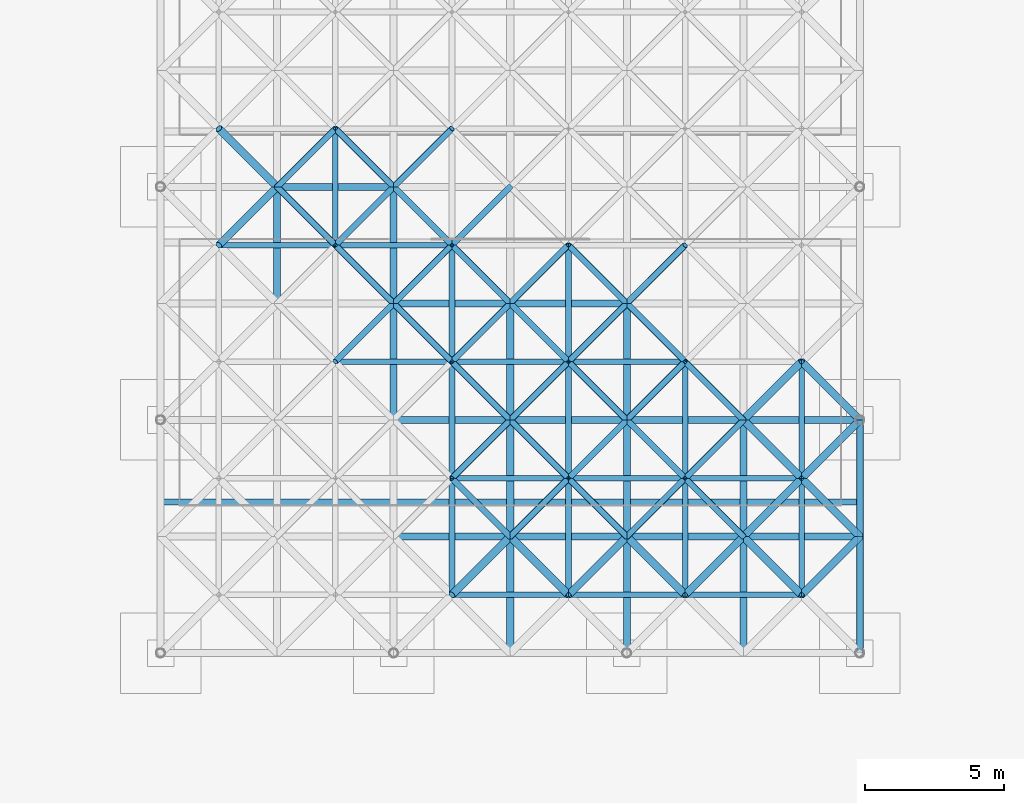
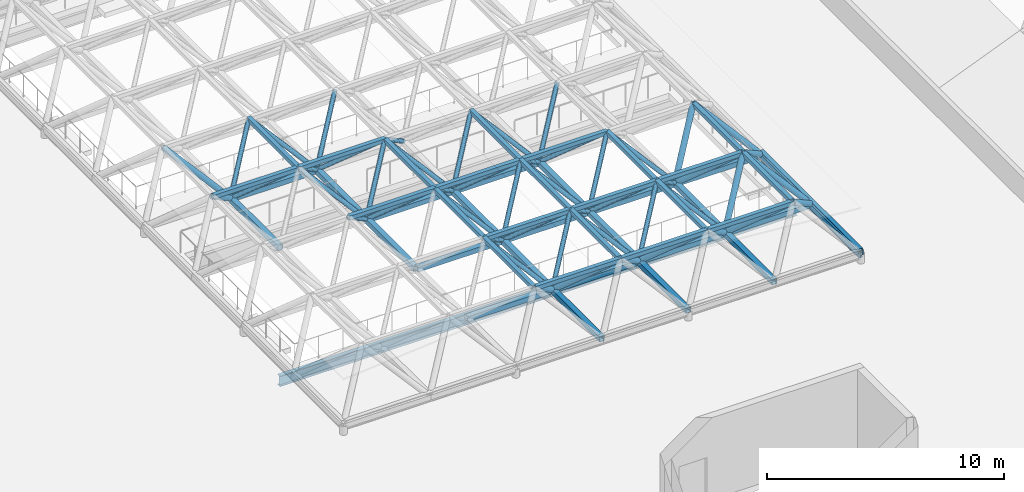
# One storey, part 16 of 85: 95 members, 2 beams.
"""IFC4 building model written with IfcOpenShell, lengths in metres."""

from ifc_helpers import new_model, si_unit, direction, frame, origin, origin_2d, place, context, subcontext, project, spatial, hollow_rectangle, hollow_circle, i_section, extrude, material, material_profile, profile_set, type_object, element, save


model = new_model("IFC4")

# Units and contexts
model_context = context("Model", 3, precision=1e-05, world=origin(), true_north=direction((0.0, 1.0)))
body_context = subcontext(model_context, "Body", "Model", "MODEL_VIEW")
ifc_project = project(units=[si_unit("LENGTHUNIT", "METRE"), si_unit("AREAUNIT", "SQUARE_METRE"), si_unit("VOLUMEUNIT", "CUBIC_METRE"), si_unit("PLANEANGLEUNIT", "RADIAN"), si_unit("MASSUNIT", "GRAM", prefix="KILO")], contexts=[model_context])

# Site, building, storey
site_placement = place(None, origin())
site = spatial("IfcSite", under=ifc_project, at=site_placement, CompositionType="ELEMENT")
building_placement = place(site_placement, origin())
building = spatial("IfcBuilding", under=site, at=building_placement, Name="Almacenes y Pasaje Nevantli", CompositionType="ELEMENT")
storey_placement = place(building_placement, frame((0.0, 0.0, 22.199951171875)))
storey = spatial("IfcBuildingStorey", under=building, at=storey_placement, Name="L05", CompositionType="ELEMENT", Elevation=22.199951171875)

# Beams
ifc_material_1 = material(Name="Steel ASTM A992", Category="steel")
ifc_material_profile_1 = material_profile(ifc_material_1, i_section(OverallWidth=0.193115234375, OverallDepth=0.4599609375, WebThickness=0.011474609375, FlangeThickness=0.01904296875, at=origin_2d()), Name="IR 457x96.7")
ifc_profile_set_1 = profile_set([ifc_material_profile_1], Name="Steel ASTM A992")
beam_type_1 = type_object("IfcBeamType", Name="BM-STL-IR-457x96p7", PredefinedType="BEAM", material=ifc_profile_set_1)
beam_1_placement = place(storey_placement, frame((58.800048828125, 42.0, 0.449951171875), z_axis=(0.0, 1.0, 0.0), x_axis=(-1.0, 0.0, 0.0)))
element("IfcBeam", 1, at=beam_1_placement, inside=storey, type_object=beam_type_1, Name="Atrium Skylight Perimeter Steel Eave Girder #5", PredefinedType="BEAM", context=body_context, shape_type="SweptSolid", body=[
    extrude(i_section(OverallWidth=0.193115234375, OverallDepth=0.4599609375, WebThickness=0.011474609375, FlangeThickness=0.01904296875, at=origin_2d()), origin(), (0.0, 0.0, 1.0), 8.39990234375),
])
ifc_material_2 = material(Name="Steel ASTM A992", Category="steel")
ifc_material_profile_2 = material_profile(ifc_material_2, i_section(OverallWidth=0.2119140625, OverallDepth=0.5439453125, WebThickness=0.01318359375, FlangeThickness=0.021240234375, at=origin_2d()), Name="IR 533x123.5")
ifc_profile_set_2 = profile_set([ifc_material_profile_2], Name="Steel ASTM A992")
beam_type_2 = type_object("IfcBeamType", Name="BM-STL-IR-533x123p5", PredefinedType="BEAM", material=ifc_profile_set_2)
beam_2_placement = place(storey_placement, frame((33.60009765625, 47.449951171875, -0.579833984375), z_axis=(1.0, 0.0, 0.0), x_axis=(0.0, 1.0, 0.0)))
element("IfcBeam", 2, at=beam_2_placement, inside=storey, type_object=beam_type_2, Name="L05 Atrium Escalator Bridge and Trimmer Girder #1", PredefinedType="BEAM", context=body_context, shape_type="SweptSolid", body=[
    extrude(i_section(OverallWidth=0.2119140625, OverallDepth=0.5439453125, WebThickness=0.01318359375, FlangeThickness=0.021240234375, at=origin_2d()), origin(), (0.0, 0.0, 1.0), 25.199951171875),
])

# Members
ifc_material_3 = material(Name="Steel ASTM A500 Grade C", Category="steel")
ifc_material_profile_3 = material_profile(ifc_material_3, hollow_circle(Radius=0.109619140625, WallThickness=0.00830078125, at=origin_2d()), Name="OC 219x8.2")
ifc_profile_set_3 = profile_set([ifc_material_profile_3], Name="Steel ASTM A500 Grade C")
member_type_1 = type_object("IfcMemberType", Name="MBR-BRC-OC219", PredefinedType="BRACE", material=ifc_profile_set_3)
for number, where, z_axis, x_axis, name in (
    (3, (42.0, 54.60009765625, 0.449951171875), (-0.57735026919, -0.57735026919, 0.57735026919), (0.707106781187, -0.707106781187, 0.0), "Atrium Skylight Space Frame Diagonal Web #172"),
    (4, (42.0, 54.60009765625, 0.449951171875), (-0.577372641904, 0.57730552116, 0.577372641904), (-0.707065676302, -0.707147883682, 0.0), "Atrium Skylight Space Frame Diagonal Web #177"),
    (5, (42.0, 58.800048828125, 0.449951171875), (-0.57735026919, -0.57735026919, 0.57735026919), (0.707106781187, -0.707106781187, 0.0), "Atrium Skylight Space Frame Diagonal Web #178"),
    (6, (37.800048828125, 58.800048828125, 0.449951171875), (0.57730552116, -0.577372641904, 0.577372641904), (0.707147883682, 0.707065676302, 0.0), "Atrium Skylight Space Frame Diagonal Web #179"),
):
    element("IfcMember", number, at=place(storey_placement, frame(where, z_axis=z_axis, x_axis=x_axis)), inside=storey, type_object=member_type_1, Name=name, PredefinedType="BRACE", context=body_context, shape_type="SweptSolid", body=[
        extrude(hollow_circle(Radius=0.109619140625, WallThickness=0.00830078125, at=origin_2d()), origin(), (0.0, 0.0, 1.0), 3.637451171875),
    ])
member_1_placement = place(storey_placement, frame((37.800048828125, 58.800048828125, 0.449951171875), z_axis=(0.577327893874, 0.577327893874, 0.577395017219), x_axis=(-0.707106781187, 0.707106781187, 0.0)))
element("IfcMember", 7, at=member_1_placement, inside=storey, type_object=member_type_1, Name="Atrium Skylight Space Frame Diagonal Web #182", PredefinedType="BRACE", context=body_context, shape_type="SweptSolid", body=[
    extrude(hollow_circle(Radius=0.109619140625, WallThickness=0.00830078125, at=origin_2d()), origin(), (0.0, 0.0, 1.0), 3.63720703125),
])
for number, where, z_axis, x_axis, name in (
    (8, (42.0, 58.800048828125, 0.449951171875), (-0.577372641904, 0.57730552116, 0.577372641904), (-0.707065676302, -0.707147883682, 0.0), "Atrium Skylight Space Frame Diagonal Web #183"),
    (9, (46.199951171875, 46.199951171875, 0.449951171875), (-0.57730552116, 0.577372641904, 0.577372641904), (-0.707147883682, -0.707065676302, 0.0), "Atrium Skylight Space Frame Diagonal Web #212"),
):
    element("IfcMember", number, at=place(storey_placement, frame(where, z_axis=z_axis, x_axis=x_axis)), inside=storey, type_object=member_type_1, Name=name, PredefinedType="BRACE", context=body_context, shape_type="SweptSolid", body=[
        extrude(hollow_circle(Radius=0.109619140625, WallThickness=0.00830078125, at=origin_2d()), origin(), (0.0, 0.0, 1.0), 3.637451171875),
    ])
member_2_placement = place(storey_placement, frame((46.199951171875, 50.39990234375, 0.449951171875), z_axis=(-0.577327893874, -0.577327893874, 0.577395017219), x_axis=(0.707106781187, -0.707106781187, 0.0)))
element("IfcMember", 10, at=member_2_placement, inside=storey, type_object=member_type_1, Name="Atrium Skylight Space Frame Diagonal Web #213", PredefinedType="BRACE", context=body_context, shape_type="SweptSolid", body=[
    extrude(hollow_circle(Radius=0.109619140625, WallThickness=0.00830078125, at=origin_2d()), origin(), (0.0, 0.0, 1.0), 3.63720703125),
])
for number, where, z_axis, x_axis, name in (
    (11, (46.199951171875, 50.39990234375, 0.449951171875), (-0.57730552116, 0.577372641904, 0.577372641904), (-0.707147883682, -0.707065676302, 0.0), "Atrium Skylight Space Frame Diagonal Web #218"),
    (12, (46.199951171875, 54.60009765625, 0.449951171875), (-0.57730552116, -0.577372641904, 0.577372641904), (0.707147883682, -0.707065676302, 0.0), "Atrium Skylight Space Frame Diagonal Web #219"),
    (13, (42.0, 54.60009765625, 0.449951171875), (0.57735026919, -0.57735026919, 0.57735026919), (0.707106781187, 0.707106781187, 0.0), "Atrium Skylight Space Frame Diagonal Web #220"),
    (14, (42.0, 54.60009765625, 0.449951171875), (0.577372641904, 0.57730552116, 0.577372641904), (-0.707065676302, 0.707147883682, 0.0), "Atrium Skylight Space Frame Diagonal Web #223"),
):
    element("IfcMember", number, at=place(storey_placement, frame(where, z_axis=z_axis, x_axis=x_axis)), inside=storey, type_object=member_type_1, Name=name, PredefinedType="BRACE", context=body_context, shape_type="SweptSolid", body=[
        extrude(hollow_circle(Radius=0.109619140625, WallThickness=0.00830078125, at=origin_2d()), origin(), (0.0, 0.0, 1.0), 3.637451171875),
    ])
member_3_placement = place(storey_placement, frame((46.199951171875, 54.60009765625, 0.449951171875), z_axis=(-0.577327893874, 0.577327893874, 0.577395017219), x_axis=(-0.707106781187, -0.707106781187, 0.0)))
element("IfcMember", 15, at=member_3_placement, inside=storey, type_object=member_type_1, Name="Atrium Skylight Space Frame Diagonal Web #224", PredefinedType="BRACE", context=body_context, shape_type="SweptSolid", body=[
    extrude(hollow_circle(Radius=0.109619140625, WallThickness=0.00830078125, at=origin_2d()), origin(), (0.0, 0.0, 1.0), 3.63720703125),
])
for number, where, z_axis, x_axis, name in (
    (16, (46.199951171875, 58.800048828125, 0.449951171875), (-0.57730552116, -0.577372641904, 0.577372641904), (0.707147883682, -0.707065676302, 0.0), "Atrium Skylight Space Frame Diagonal Web #225"),
    (17, (42.0, 58.800048828125, 0.449951171875), (0.57735026919, -0.57735026919, 0.57735026919), (0.707106781187, 0.707106781187, 0.0), "Atrium Skylight Space Frame Diagonal Web #226"),
    (18, (42.0, 58.800048828125, 0.449951171875), (0.577372641904, 0.57730552116, 0.577372641904), (-0.707065676302, 0.707147883682, 0.0), "Atrium Skylight Space Frame Diagonal Web #229"),
    (19, (46.199951171875, 46.199951171875, 0.449951171875), (0.57735026919, 0.57735026919, 0.57735026919), (-0.707106781187, 0.707106781187, 0.0), "Atrium Skylight Space Frame Diagonal Web #258"),
    (20, (50.39990234375, 46.199951171875, 0.449951171875), (-0.57730552116, 0.577372641904, 0.577372641904), (-0.707147883682, -0.707065676302, 0.0), "Atrium Skylight Space Frame Diagonal Web #259"),
):
    element("IfcMember", number, at=place(storey_placement, frame(where, z_axis=z_axis, x_axis=x_axis)), inside=storey, type_object=member_type_1, Name=name, PredefinedType="BRACE", context=body_context, shape_type="SweptSolid", body=[
        extrude(hollow_circle(Radius=0.109619140625, WallThickness=0.00830078125, at=origin_2d()), origin(), (0.0, 0.0, 1.0), 3.637451171875),
    ])
member_4_placement = place(storey_placement, frame((50.39990234375, 50.39990234375, 0.449951171875), z_axis=(-0.577327893874, -0.577327893874, 0.577395017219), x_axis=(0.707106781187, -0.707106781187, 0.0)))
element("IfcMember", 21, at=member_4_placement, inside=storey, type_object=member_type_1, Name="Atrium Skylight Space Frame Diagonal Web #260", PredefinedType="BRACE", context=body_context, shape_type="SweptSolid", body=[
    extrude(hollow_circle(Radius=0.109619140625, WallThickness=0.00830078125, at=origin_2d()), origin(), (0.0, 0.0, 1.0), 3.63720703125),
])
for number, where, z_axis, x_axis, name in (
    (22, (46.199951171875, 50.39990234375, 0.449951171875), (0.577372641904, -0.57730552116, 0.577372641904), (0.707065676302, 0.707147883682, 0.0), "Atrium Skylight Space Frame Diagonal Web #261"),
    (23, (46.199951171875, 50.39990234375, 0.449951171875), (0.57735026919, 0.57735026919, 0.57735026919), (-0.707106781187, 0.707106781187, 0.0), "Atrium Skylight Space Frame Diagonal Web #264"),
    (24, (50.39990234375, 50.39990234375, 0.449951171875), (-0.57730552116, 0.577372641904, 0.577372641904), (-0.707147883682, -0.707065676302, 0.0), "Atrium Skylight Space Frame Diagonal Web #265"),
    (25, (50.39990234375, 54.60009765625, 0.449951171875), (-0.57730552116, -0.577372641904, 0.577372641904), (0.707147883682, -0.707065676302, 0.0), "Atrium Skylight Space Frame Diagonal Web #266"),
    (26, (46.199951171875, 54.60009765625, 0.449951171875), (0.57735026919, -0.57735026919, 0.57735026919), (0.707106781187, 0.707106781187, 0.0), "Atrium Skylight Space Frame Diagonal Web #267"),
    (27, (46.199951171875, 54.60009765625, 0.449951171875), (0.577372641904, 0.57730552116, 0.577372641904), (-0.707065676302, 0.707147883682, 0.0), "Atrium Skylight Space Frame Diagonal Web #270"),
):
    element("IfcMember", number, at=place(storey_placement, frame(where, z_axis=z_axis, x_axis=x_axis)), inside=storey, type_object=member_type_1, Name=name, PredefinedType="BRACE", context=body_context, shape_type="SweptSolid", body=[
        extrude(hollow_circle(Radius=0.109619140625, WallThickness=0.00830078125, at=origin_2d()), origin(), (0.0, 0.0, 1.0), 3.637451171875),
    ])
member_5_placement = place(storey_placement, frame((50.39990234375, 54.60009765625, 0.449951171875), z_axis=(-0.577327893874, 0.577327893874, 0.577395017219), x_axis=(-0.707106781187, -0.707106781187, 0.0)))
element("IfcMember", 28, at=member_5_placement, inside=storey, type_object=member_type_1, Name="Atrium Skylight Space Frame Diagonal Web #271", PredefinedType="BRACE", context=body_context, shape_type="SweptSolid", body=[
    extrude(hollow_circle(Radius=0.109619140625, WallThickness=0.00830078125, at=origin_2d()), origin(), (0.0, 0.0, 1.0), 3.63720703125),
])
for number, where, z_axis, x_axis, name in (
    (29, (50.39990234375, 46.199951171875, 0.449951171875), (0.57735026919, 0.57735026919, 0.57735026919), (-0.707106781187, 0.707106781187, 0.0), "Atrium Skylight Space Frame Diagonal Web #305"),
    (30, (54.60009765625, 46.199951171875, 0.449951171875), (-0.57735026919, 0.57735026919, 0.57735026919), (-0.707106781187, -0.707106781187, 0.0), "Atrium Skylight Space Frame Diagonal Web #306"),
    (31, (54.60009765625, 50.39990234375, 0.449951171875), (-0.577372641904, -0.57730552116, 0.577372641904), (0.707065676302, -0.707147883682, 0.0), "Atrium Skylight Space Frame Diagonal Web #307"),
    (32, (50.39990234375, 50.39990234375, 0.449951171875), (0.577372641904, -0.57730552116, 0.577372641904), (0.707065676302, 0.707147883682, 0.0), "Atrium Skylight Space Frame Diagonal Web #308"),
    (33, (50.39990234375, 50.39990234375, 0.449951171875), (0.57735026919, 0.57735026919, 0.57735026919), (-0.707106781187, 0.707106781187, 0.0), "Atrium Skylight Space Frame Diagonal Web #311"),
    (34, (54.60009765625, 50.39990234375, 0.449951171875), (-0.57735026919, 0.57735026919, 0.57735026919), (-0.707106781187, -0.707106781187, 0.0), "Atrium Skylight Space Frame Diagonal Web #312"),
    (35, (50.39990234375, 54.60009765625, 0.449951171875), (0.57735026919, -0.57735026919, 0.57735026919), (0.707106781187, 0.707106781187, 0.0), "Atrium Skylight Space Frame Diagonal Web #314"),
    (36, (50.39990234375, 54.60009765625, 0.449951171875), (0.577372641904, 0.57730552116, 0.577372641904), (-0.707065676302, 0.707147883682, 0.0), "Atrium Skylight Space Frame Diagonal Web #317"),
):
    element("IfcMember", number, at=place(storey_placement, frame(where, z_axis=z_axis, x_axis=x_axis)), inside=storey, type_object=member_type_1, Name=name, PredefinedType="BRACE", context=body_context, shape_type="SweptSolid", body=[
        extrude(hollow_circle(Radius=0.109619140625, WallThickness=0.00830078125, at=origin_2d()), origin(), (0.0, 0.0, 1.0), 3.637451171875),
    ])
ifc_material_4 = material(Name="Steel ASTM A500 Grade C", Category="steel")
ifc_material_profile_4 = material_profile(ifc_material_4, hollow_circle(Radius=0.136474609375, WallThickness=0.00927734375, at=origin_2d()), Name="OC 273x9.3")
ifc_profile_set_4 = profile_set([ifc_material_profile_4], Name="Steel ASTM A500 Grade C")
member_type_2 = type_object("IfcMemberType", Name="MBR-BRC-OC273", PredefinedType="BRACE", material=ifc_profile_set_4)
for number, where, z_axis, x_axis, name in (
    (37, (37.800048828125, 58.800048828125, 0.449951171875), (-0.57735026919, -0.57735026919, 0.57735026919), (0.707106781187, -0.707106781187, 0.0), "Atrium Skylight Space Frame Diagonal Web #131"),
    (38, (37.800048828125, 58.800048828125, 0.449951171875), (-0.577372641904, 0.57730552116, 0.577372641904), (-0.707065676302, -0.707147883682, 0.0), "Atrium Skylight Space Frame Diagonal Web #136"),
):
    element("IfcMember", number, at=place(storey_placement, frame(where, z_axis=z_axis, x_axis=x_axis)), inside=storey, type_object=member_type_2, Name=name, PredefinedType="BRACE", context=body_context, shape_type="SweptSolid", body=[
        extrude(hollow_circle(Radius=0.136474609375, WallThickness=0.00927734375, at=origin_2d()), origin(), (0.0, 0.0, 1.0), 3.637451171875),
    ])
for number, where, z_axis, x_axis, name in (
    (39, (46.199951171875, 46.199951171875, 0.449951171875), (-0.577327893874, -0.577327893874, 0.577395017219), (0.707106781187, -0.707106781187, 0.0), "Atrium Skylight Space Frame Diagonal Web #207"),
    (40, (50.39990234375, 46.199951171875, 0.449951171875), (-0.577327893874, -0.577327893874, 0.577395017219), (0.707106781187, -0.707106781187, 0.0), "Atrium Skylight Space Frame Diagonal Web #254"),
):
    element("IfcMember", number, at=place(storey_placement, frame(where, z_axis=z_axis, x_axis=x_axis)), inside=storey, type_object=member_type_2, Name=name, PredefinedType="BRACE", context=body_context, shape_type="SweptSolid", body=[
        extrude(hollow_circle(Radius=0.136474609375, WallThickness=0.00927734375, at=origin_2d()), origin(), (0.0, 0.0, 1.0), 3.63720703125),
    ])
for number, where, z_axis, x_axis, name in (
    (41, (46.199951171875, 46.199951171875, 0.449951171875), (0.577372641904, -0.57730552116, 0.577372641904), (0.707065676302, 0.707147883682, 0.0), "Atrium Skylight Space Frame Diagonal Web #255"),
    (42, (54.60009765625, 46.199951171875, 0.449951171875), (-0.577372641904, -0.57730552116, 0.577372641904), (0.707065676302, -0.707147883682, 0.0), "Atrium Skylight Space Frame Diagonal Web #301"),
    (43, (50.39990234375, 46.199951171875, 0.449951171875), (0.577372641904, -0.57730552116, 0.577372641904), (0.707065676302, 0.707147883682, 0.0), "Atrium Skylight Space Frame Diagonal Web #302"),
    (44, (58.800048828125, 46.199951171875, 0.449951171875), (-0.577372641904, -0.57730552116, 0.577372641904), (0.707065676302, -0.707147883682, 0.0), "Atrium Skylight Space Frame Diagonal Web #348"),
):
    element("IfcMember", number, at=place(storey_placement, frame(where, z_axis=z_axis, x_axis=x_axis)), inside=storey, type_object=member_type_2, Name=name, PredefinedType="BRACE", context=body_context, shape_type="SweptSolid", body=[
        extrude(hollow_circle(Radius=0.136474609375, WallThickness=0.00927734375, at=origin_2d()), origin(), (0.0, 0.0, 1.0), 3.637451171875),
    ])
member_6_placement = place(storey_placement, frame((54.60009765625, 46.199951171875, 0.449951171875), z_axis=(0.577327893874, -0.577327893874, 0.577395017219), x_axis=(0.707106781187, 0.707106781187, 0.0)))
element("IfcMember", 45, at=member_6_placement, inside=storey, type_object=member_type_2, Name="Atrium Skylight Space Frame Diagonal Web #349", PredefinedType="BRACE", context=body_context, shape_type="SweptSolid", body=[
    extrude(hollow_circle(Radius=0.136474609375, WallThickness=0.00927734375, at=origin_2d()), origin(), (0.0, 0.0, 1.0), 3.63720703125),
])
for number, where, z_axis, x_axis, name in (
    (46, (54.60009765625, 46.199951171875, 0.449951171875), (0.57730552116, 0.577372641904, 0.577372641904), (-0.707147883682, 0.707065676302, 0.0), "Atrium Skylight Space Frame Diagonal Web #351"),
    (47, (58.800048828125, 46.199951171875, 0.449951171875), (-0.57735026919, 0.57735026919, 0.57735026919), (-0.707106781187, -0.707106781187, 0.0), "Atrium Skylight Space Frame Diagonal Web #352"),
    (48, (58.800048828125, 50.39990234375, 0.449951171875), (-0.577372641904, -0.57730552116, 0.577372641904), (0.707065676302, -0.707147883682, 0.0), "Atrium Skylight Space Frame Diagonal Web #353"),
):
    element("IfcMember", number, at=place(storey_placement, frame(where, z_axis=z_axis, x_axis=x_axis)), inside=storey, type_object=member_type_2, Name=name, PredefinedType="BRACE", context=body_context, shape_type="SweptSolid", body=[
        extrude(hollow_circle(Radius=0.136474609375, WallThickness=0.00927734375, at=origin_2d()), origin(), (0.0, 0.0, 1.0), 3.637451171875),
    ])
member_7_placement = place(storey_placement, frame((54.60009765625, 50.39990234375, 0.449951171875), z_axis=(0.577327893874, -0.577327893874, 0.577395017219), x_axis=(0.707106781187, 0.707106781187, 0.0)))
element("IfcMember", 49, at=member_7_placement, inside=storey, type_object=member_type_2, Name="Atrium Skylight Space Frame Diagonal Web #354", PredefinedType="BRACE", context=body_context, shape_type="SweptSolid", body=[
    extrude(hollow_circle(Radius=0.136474609375, WallThickness=0.00927734375, at=origin_2d()), origin(), (0.0, 0.0, 1.0), 3.63720703125),
])
for number, where, z_axis, x_axis, name in (
    (50, (54.60009765625, 50.39990234375, 0.449951171875), (0.57730552116, 0.577372641904, 0.577372641904), (-0.707147883682, 0.707065676302, 0.0), "Atrium Skylight Space Frame Diagonal Web #356"),
    (51, (58.800048828125, 50.39990234375, 0.449951171875), (-0.57735026919, 0.57735026919, 0.57735026919), (-0.707106781187, -0.707106781187, 0.0), "Atrium Skylight Space Frame Diagonal Web #357"),
):
    element("IfcMember", number, at=place(storey_placement, frame(where, z_axis=z_axis, x_axis=x_axis)), inside=storey, type_object=member_type_2, Name=name, PredefinedType="BRACE", context=body_context, shape_type="SweptSolid", body=[
        extrude(hollow_circle(Radius=0.136474609375, WallThickness=0.00927734375, at=origin_2d()), origin(), (0.0, 0.0, 1.0), 3.637451171875),
    ])
ifc_material_5 = material(Name="Steel ASTM A500 Grade C", Category="steel")
ifc_material_profile_5 = material_profile(ifc_material_5, hollow_rectangle(XDim=0.203125, YDim=0.203125, WallThickness=0.009521484375, at=origin_2d()), Name="OR 203x203x9.5")
ifc_profile_set_5 = profile_set([ifc_material_profile_5], Name="Steel ASTM A500 Grade C")
member_type_3 = type_object("IfcMemberType", Name="MBR-BRC-OR203", PredefinedType="BRACE", material=ifc_profile_set_5)
member_8_placement = place(storey_placement, frame((35.699951171875, 56.699951171875, 2.550048828125), z_axis=(1.0, 0.0, 0.0), x_axis=(0.0, 1.0, 0.0)))
element("IfcMember", 52, at=member_8_placement, inside=storey, type_object=member_type_3, Name="Atrium Skylight Space Frame Top Chord X #133", PredefinedType="BRACE", context=body_context, shape_type="SweptSolid", body=[
    extrude(hollow_rectangle(XDim=0.203125, YDim=0.203125, WallThickness=0.009521484375, at=origin_2d()), origin(), (0.0, 0.0, 1.0), 4.199951171875),
])
for number, where, z_axis, x_axis, name in (
    (53, (39.89990234375, 52.5, 2.550048828125), (1.0, 0.0, 0.0), (0.0, 1.0, 0.0), "Atrium Skylight Space Frame Top Chord X #174"),
    (54, (39.89990234375, 56.699951171875, 2.550048828125), (1.0, 0.0, 0.0), (0.0, 1.0, 0.0), "Atrium Skylight Space Frame Top Chord X #180"),
):
    element("IfcMember", number, at=place(storey_placement, frame(where, z_axis=z_axis, x_axis=x_axis)), inside=storey, type_object=member_type_3, Name=name, PredefinedType="BRACE", context=body_context, shape_type="SweptSolid", body=[
        extrude(hollow_rectangle(XDim=0.203125, YDim=0.203125, WallThickness=0.009521484375, at=origin_2d()), origin(), (0.0, 0.0, 1.0), 4.2001953125),
    ])
for number, where, z_axis, x_axis, name in (
    (55, (39.89990234375, 56.699951171875, 2.550048828125), (0.0, 1.0, 0.0), (-1.0, 0.0, 0.0), "Atrium Skylight Space Frame Top Chord Y #181"),
    (56, (44.10009765625, 44.10009765625, 2.550048828125), (1.0, 0.0, 0.0), (0.0, 1.0, 0.0), "Atrium Skylight Space Frame Top Chord X #209"),
    (57, (44.10009765625, 44.10009765625, 2.550048828125), (0.0, 1.0, 0.0), (-1.0, 0.0, 0.0), "Atrium Skylight Space Frame Top Chord Y #210"),
    (58, (44.10009765625, 48.300048828125, 2.550048828125), (1.0, 0.0, 0.0), (0.0, 1.0, 0.0), "Atrium Skylight Space Frame Top Chord X #215"),
    (59, (44.10009765625, 48.300048828125, 2.550048828125), (0.0, 1.0, 0.0), (-1.0, 0.0, 0.0), "Atrium Skylight Space Frame Top Chord Y #216"),
    (60, (44.10009765625, 52.5, 2.550048828125), (1.0, 0.0, 0.0), (0.0, 1.0, 0.0), "Atrium Skylight Space Frame Top Chord X #221"),
    (61, (44.10009765625, 52.5, 2.550048828125), (0.0, 1.0, 0.0), (-1.0, 0.0, 0.0), "Atrium Skylight Space Frame Top Chord Y #222"),
    (62, (48.300048828125, 44.10009765625, 2.550048828125), (1.0, 0.0, 0.0), (0.0, 1.0, 0.0), "Atrium Skylight Space Frame Top Chord X #256"),
    (63, (48.300048828125, 44.10009765625, 2.550048828125), (0.0, 1.0, 0.0), (-1.0, 0.0, 0.0), "Atrium Skylight Space Frame Top Chord Y #257"),
    (64, (48.300048828125, 48.300048828125, 2.550048828125), (1.0, 0.0, 0.0), (0.0, 1.0, 0.0), "Atrium Skylight Space Frame Top Chord X #262"),
    (65, (48.300048828125, 48.300048828125, 2.550048828125), (0.0, 1.0, 0.0), (-1.0, 0.0, 0.0), "Atrium Skylight Space Frame Top Chord Y #263"),
    (66, (48.300048828125, 52.5, 2.550048828125), (1.0, 0.0, 0.0), (0.0, 1.0, 0.0), "Atrium Skylight Space Frame Top Chord X #268"),
    (67, (48.300048828125, 52.5, 2.550048828125), (0.0, 1.0, 0.0), (-1.0, 0.0, 0.0), "Atrium Skylight Space Frame Top Chord Y #269"),
    (68, (52.5, 44.10009765625, 2.550048828125), (1.0, 0.0, 0.0), (0.0, 1.0, 0.0), "Atrium Skylight Space Frame Top Chord X #303"),
    (69, (52.5, 44.10009765625, 2.550048828125), (0.0, 1.0, 0.0), (-1.0, 0.0, 0.0), "Atrium Skylight Space Frame Top Chord Y #304"),
    (70, (52.5, 48.300048828125, 2.550048828125), (1.0, 0.0, 0.0), (0.0, 1.0, 0.0), "Atrium Skylight Space Frame Top Chord X #309"),
    (71, (52.5, 48.300048828125, 2.550048828125), (0.0, 1.0, 0.0), (-1.0, 0.0, 0.0), "Atrium Skylight Space Frame Top Chord Y #310"),
    (72, (56.699951171875, 44.10009765625, 2.550048828125), (0.0, 1.0, 0.0), (-1.0, 0.0, 0.0), "Atrium Skylight Space Frame Top Chord Y #350"),
    (73, (56.699951171875, 48.300048828125, 2.550048828125), (0.0, 1.0, 0.0), (-1.0, 0.0, 0.0), "Atrium Skylight Space Frame Top Chord Y #355"),
):
    element("IfcMember", number, at=place(storey_placement, frame(where, z_axis=z_axis, x_axis=x_axis)), inside=storey, type_object=member_type_3, Name=name, PredefinedType="BRACE", context=body_context, shape_type="SweptSolid", body=[
        extrude(hollow_rectangle(XDim=0.203125, YDim=0.203125, WallThickness=0.009521484375, at=origin_2d()), origin(), (0.0, 0.0, 1.0), 4.199951171875),
    ])
ifc_material_6 = material(Name="Steel ASTM A500 Grade C", Category="steel")
ifc_material_profile_6 = material_profile(ifc_material_6, hollow_rectangle(XDim=0.25390625, YDim=0.25390625, WallThickness=0.009521484375, at=origin_2d()), Name="OR 254x254x9.5")
ifc_profile_set_6 = profile_set([ifc_material_profile_6], Name="Steel ASTM A500 Grade C")
member_type_4 = type_object("IfcMemberType", Name="MBR-BRC-OR254", PredefinedType="BRACE", material=ifc_profile_set_6)
member_9_placement = place(storey_placement, frame((37.800048828125, 54.60009765625, 0.449951171875), z_axis=(0.0, 1.0, 0.0), x_axis=(-1.0, 0.0, 0.0)))
element("IfcMember", 74, at=member_9_placement, inside=storey, type_object=member_type_4, Name="Atrium Skylight Space Frame Bottom Chord #12", PredefinedType="BRACE", context=body_context, shape_type="SweptSolid", body=[
    extrude(hollow_rectangle(XDim=0.25390625, YDim=0.25390625, WallThickness=0.009521484375, at=origin_2d()), origin(), (0.0, 0.0, 1.0), 4.199951171875),
])
member_10_placement = place(storey_placement, frame((42.0, 50.39990234375, 0.449951171875), z_axis=(0.0, 1.0, 0.0), x_axis=(-1.0, 0.0, 0.0)))
element("IfcMember", 75, at=member_10_placement, inside=storey, type_object=member_type_4, Name="Atrium Skylight Space Frame Bottom Chord #19", PredefinedType="BRACE", context=body_context, shape_type="SweptSolid", body=[
    extrude(hollow_rectangle(XDim=0.25390625, YDim=0.25390625, WallThickness=0.009521484375, at=origin_2d()), origin(), (0.0, 0.0, 1.0), 4.2001953125),
])
for number, where, z_axis, x_axis, name in (
    (76, (42.0, 54.60009765625, 0.449951171875), (0.0, 1.0, 0.0), (-1.0, 0.0, 0.0), "Atrium Skylight Space Frame Bottom Chord #20"),
    (77, (46.199951171875, 42.0, 0.449951171875), (0.0, 1.0, 0.0), (-1.0, 0.0, 0.0), "Atrium Skylight Space Frame Bottom Chord #25"),
    (78, (46.199951171875, 46.199951171875, 0.449951171875), (0.0, 1.0, 0.0), (-1.0, 0.0, 0.0), "Atrium Skylight Space Frame Bottom Chord #26"),
):
    element("IfcMember", number, at=place(storey_placement, frame(where, z_axis=z_axis, x_axis=x_axis)), inside=storey, type_object=member_type_4, Name=name, PredefinedType="BRACE", context=body_context, shape_type="SweptSolid", body=[
        extrude(hollow_rectangle(XDim=0.25390625, YDim=0.25390625, WallThickness=0.009521484375, at=origin_2d()), origin(), (0.0, 0.0, 1.0), 4.199951171875),
    ])
member_11_placement = place(storey_placement, frame((46.199951171875, 50.39990234375, 0.449951171875), z_axis=(0.0, 1.0, 0.0), x_axis=(-1.0, 0.0, 0.0)))
element("IfcMember", 79, at=member_11_placement, inside=storey, type_object=member_type_4, Name="Atrium Skylight Space Frame Bottom Chord #27", PredefinedType="BRACE", context=body_context, shape_type="SweptSolid", body=[
    extrude(hollow_rectangle(XDim=0.25390625, YDim=0.25390625, WallThickness=0.009521484375, at=origin_2d()), origin(), (0.0, 0.0, 1.0), 4.2001953125),
])
for number, where, z_axis, x_axis, name in (
    (80, (50.39990234375, 42.0, 0.449951171875), (0.0, 1.0, 0.0), (-1.0, 0.0, 0.0), "Atrium Skylight Space Frame Bottom Chord #33"),
    (81, (50.39990234375, 46.199951171875, 0.449951171875), (0.0, 1.0, 0.0), (-1.0, 0.0, 0.0), "Atrium Skylight Space Frame Bottom Chord #34"),
):
    element("IfcMember", number, at=place(storey_placement, frame(where, z_axis=z_axis, x_axis=x_axis)), inside=storey, type_object=member_type_4, Name=name, PredefinedType="BRACE", context=body_context, shape_type="SweptSolid", body=[
        extrude(hollow_rectangle(XDim=0.25390625, YDim=0.25390625, WallThickness=0.009521484375, at=origin_2d()), origin(), (0.0, 0.0, 1.0), 4.199951171875),
    ])
member_12_placement = place(storey_placement, frame((50.39990234375, 50.39990234375, 0.449951171875), z_axis=(0.0, 1.0, 0.0), x_axis=(-1.0, 0.0, 0.0)))
element("IfcMember", 82, at=member_12_placement, inside=storey, type_object=member_type_4, Name="Atrium Skylight Space Frame Bottom Chord #35", PredefinedType="BRACE", context=body_context, shape_type="SweptSolid", body=[
    extrude(hollow_rectangle(XDim=0.25390625, YDim=0.25390625, WallThickness=0.009521484375, at=origin_2d()), origin(), (0.0, 0.0, 1.0), 4.2001953125),
])
for number, where, z_axis, x_axis, name in (
    (83, (54.60009765625, 42.0, 0.449951171875), (0.0, 1.0, 0.0), (-1.0, 0.0, 0.0), "Atrium Skylight Space Frame Bottom Chord #41"),
    (84, (54.60009765625, 46.199951171875, 0.449951171875), (0.0, 1.0, 0.0), (-1.0, 0.0, 0.0), "Atrium Skylight Space Frame Bottom Chord #42"),
    (85, (58.800048828125, 42.0, 0.449951171875), (0.0, 1.0, 0.0), (-1.0, 0.0, 0.0), "Atrium Skylight Space Frame Bottom Chord #49"),
    (86, (58.800048828125, 46.199951171875, 0.449951171875), (0.0, 1.0, 0.0), (-1.0, 0.0, 0.0), "Atrium Skylight Space Frame Bottom Chord #50"),
    (87, (42.0, 46.199951171875, 0.449951171875), (1.0, 0.0, 0.0), (0.0, 1.0, 0.0), "Atrium Skylight Space Frame Bottom Cross Chord #65"),
    (88, (46.199951171875, 46.199951171875, 0.449951171875), (1.0, 0.0, 0.0), (0.0, 1.0, 0.0), "Atrium Skylight Space Frame Bottom Cross Chord #66"),
):
    element("IfcMember", number, at=place(storey_placement, frame(where, z_axis=z_axis, x_axis=x_axis)), inside=storey, type_object=member_type_4, Name=name, PredefinedType="BRACE", context=body_context, shape_type="SweptSolid", body=[
        extrude(hollow_rectangle(XDim=0.25390625, YDim=0.25390625, WallThickness=0.009521484375, at=origin_2d()), origin(), (0.0, 0.0, 1.0), 4.199951171875),
    ])
member_13_placement = place(storey_placement, frame((50.39990234375, 46.199951171875, 0.449951171875), z_axis=(1.0, 0.0, 0.0), x_axis=(0.0, 1.0, 0.0)))
element("IfcMember", 89, at=member_13_placement, inside=storey, type_object=member_type_4, Name="Atrium Skylight Space Frame Bottom Cross Chord #67", PredefinedType="BRACE", context=body_context, shape_type="SweptSolid", body=[
    extrude(hollow_rectangle(XDim=0.25390625, YDim=0.25390625, WallThickness=0.009521484375, at=origin_2d()), origin(), (0.0, 0.0, 1.0), 4.2001953125),
])
for number, where, z_axis, x_axis, name in (
    (90, (54.60009765625, 46.199951171875, 0.449951171875), (1.0, 0.0, 0.0), (0.0, 1.0, 0.0), "Atrium Skylight Space Frame Bottom Cross Chord #68"),
    (91, (42.0, 50.39990234375, 0.449951171875), (1.0, 0.0, 0.0), (0.0, 1.0, 0.0), "Atrium Skylight Space Frame Bottom Cross Chord #71"),
    (92, (46.199951171875, 50.39990234375, 0.449951171875), (1.0, 0.0, 0.0), (0.0, 1.0, 0.0), "Atrium Skylight Space Frame Bottom Cross Chord #72"),
):
    element("IfcMember", number, at=place(storey_placement, frame(where, z_axis=z_axis, x_axis=x_axis)), inside=storey, type_object=member_type_4, Name=name, PredefinedType="BRACE", context=body_context, shape_type="SweptSolid", body=[
        extrude(hollow_rectangle(XDim=0.25390625, YDim=0.25390625, WallThickness=0.009521484375, at=origin_2d()), origin(), (0.0, 0.0, 1.0), 4.199951171875),
    ])
member_14_placement = place(storey_placement, frame((50.39990234375, 50.39990234375, 0.449951171875), z_axis=(1.0, 0.0, 0.0), x_axis=(0.0, 1.0, 0.0)))
element("IfcMember", 93, at=member_14_placement, inside=storey, type_object=member_type_4, Name="Atrium Skylight Space Frame Bottom Cross Chord #73", PredefinedType="BRACE", context=body_context, shape_type="SweptSolid", body=[
    extrude(hollow_rectangle(XDim=0.25390625, YDim=0.25390625, WallThickness=0.009521484375, at=origin_2d()), origin(), (0.0, 0.0, 1.0), 4.2001953125),
])
for number, where, z_axis, x_axis, name in (
    (94, (54.60009765625, 50.39990234375, 0.449951171875), (1.0, 0.0, 0.0), (0.0, 1.0, 0.0), "Atrium Skylight Space Frame Bottom Cross Chord #74"),
    (95, (42.0, 54.60009765625, 0.449951171875), (1.0, 0.0, 0.0), (0.0, 1.0, 0.0), "Atrium Skylight Space Frame Bottom Cross Chord #77"),
    (96, (46.199951171875, 54.60009765625, 0.449951171875), (1.0, 0.0, 0.0), (0.0, 1.0, 0.0), "Atrium Skylight Space Frame Bottom Cross Chord #78"),
    (97, (37.800048828125, 58.800048828125, 0.449951171875), (1.0, 0.0, 0.0), (0.0, 1.0, 0.0), "Atrium Skylight Space Frame Bottom Cross Chord #82"),
):
    element("IfcMember", number, at=place(storey_placement, frame(where, z_axis=z_axis, x_axis=x_axis)), inside=storey, type_object=member_type_4, Name=name, PredefinedType="BRACE", context=body_context, shape_type="SweptSolid", body=[
        extrude(hollow_rectangle(XDim=0.25390625, YDim=0.25390625, WallThickness=0.009521484375, at=origin_2d()), origin(), (0.0, 0.0, 1.0), 4.199951171875),
    ])

save(model, "model.ifc")
